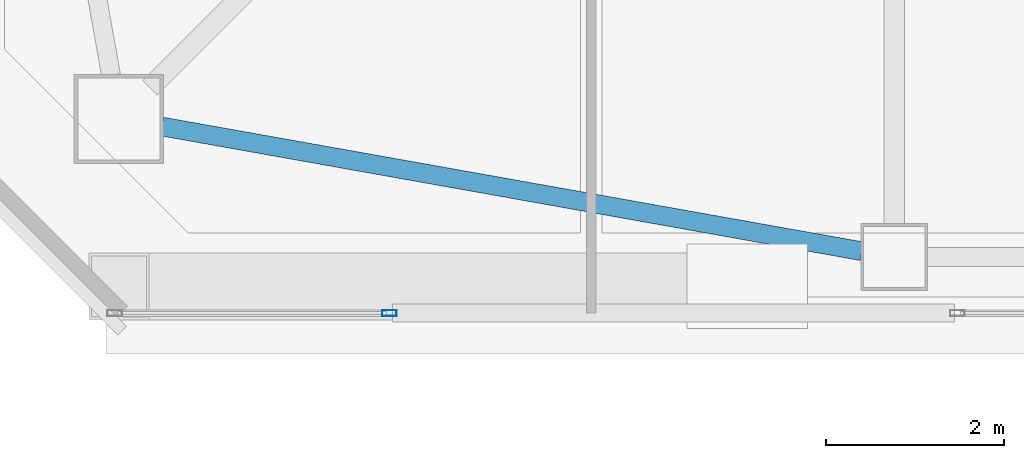
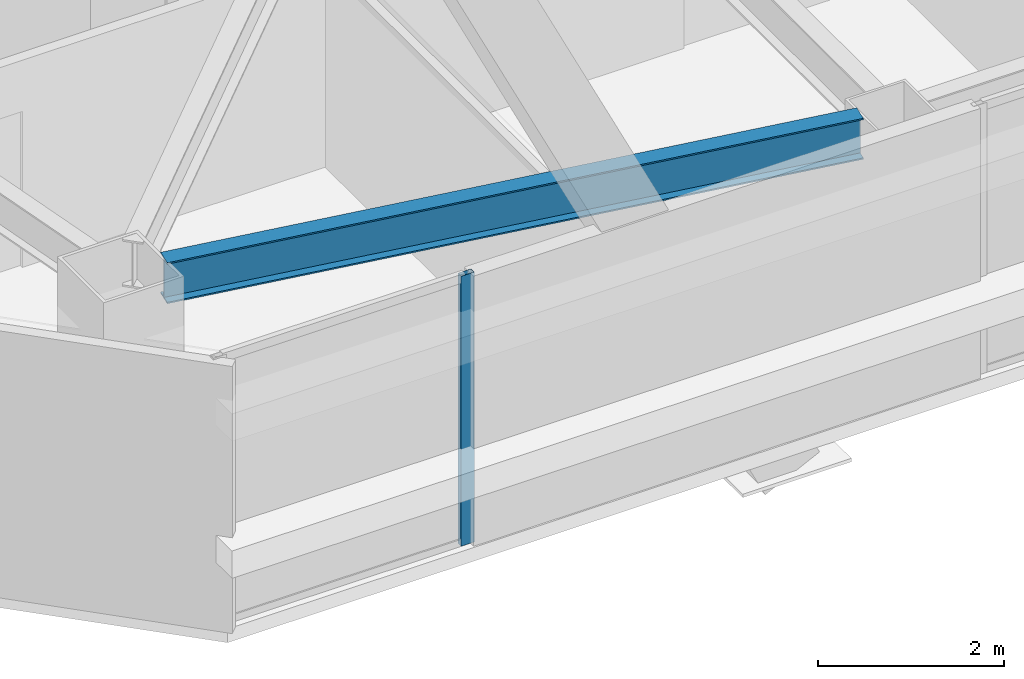
# One storey, part 5 of 56: 1 beam, 1 member, 1 element without a shape of its own.
"""IFC4 building model written with IfcOpenShell, lengths in metres."""

from ifc_helpers import new_model, si_unit, direction, frame, origin, origin_2d, place, context, subcontext, project, spatial, hollow_rectangle, i_section, extrude, material, material_profile, profile_set, type_object, element, aggregate, save


model = new_model("IFC4")

# Units and contexts
model_context = context("Model", 3, precision=1e-05, world=origin(), true_north=direction((0.0, 1.0)))
body_context = subcontext(model_context, "Body", "Model", "MODEL_VIEW")
ifc_project = project(units=[si_unit("LENGTHUNIT", "METRE"), si_unit("AREAUNIT", "SQUARE_METRE"), si_unit("VOLUMEUNIT", "CUBIC_METRE"), si_unit("PLANEANGLEUNIT", "RADIAN"), si_unit("MASSUNIT", "GRAM", prefix="KILO")], contexts=[model_context])

# Site, building, storey
site_placement = place(None, origin())
site = spatial("IfcSite", under=ifc_project, at=site_placement, CompositionType="ELEMENT")
building_placement = place(site_placement, origin())
building = spatial("IfcBuilding", under=site, at=building_placement, Name="Tashvorn Skyway Center", CompositionType="ELEMENT")
storey_placement = place(building_placement, frame((0.0, 0.0, 218.39990234375)))
storey = spatial("IfcBuildingStorey", under=building, at=storey_placement, Name="L59", CompositionType="ELEMENT", Elevation=218.39990234375)

# Beam
ifc_material_1 = material(Name="Steel ASTM A992 Grade 50", Category="steel")
ifc_material_profile_1 = material_profile(ifc_material_1, i_section(OverallWidth=0.2109375, OverallDepth=0.5390625, WebThickness=0.01171875, FlangeThickness=0.018798828125, at=origin_2d()), Name="W21X73")
ifc_profile_set_1 = profile_set([ifc_material_profile_1], Name="Steel ASTM A992 Grade 50")
beam_type = type_object("IfcBeamType", Name="BM-SPANDREL-W21X73", PredefinedType="SPANDREL", material=ifc_profile_set_1)
beam_placement = place(storey_placement, frame((28.38720703125, 17.813232421875, 3.1005859375), z_axis=(0.984494883191, -0.17541329759, 0.0), x_axis=(0.17541329759, 0.984494883191, 0.0)))
element("IfcBeam", 1, at=beam_placement, inside=storey, type_object=beam_type, Name="Tower 1 L59 Spandrel Beam 01", PredefinedType="SPANDREL", context=body_context, shape_type="SweptSolid", body=[
    extrude(i_section(OverallWidth=0.2109375, OverallDepth=0.5390625, WebThickness=0.01171875, FlangeThickness=0.018798828125, at=origin_2d()), origin(), (0.0, 0.0, 1.0), 7.97216796875),
])

# Curtain wall, member
ifc_material_2 = material(Name="Thermally broken bronze-anodized aluminium 6063-T6", Category="aluminium")
curtain_wall_type = type_object("IfcCurtainWallType", Name="CW-CW-Z5", PredefinedType="NOTDEFINED", material=ifc_material_2)
curtain_wall_placement = place(storey_placement, origin())
curtain_wall = element("IfcCurtainWall", 2, at=curtain_wall_placement, inside=storey, type_object=curtain_wall_type, Name="Tower 1 L59 South Unitised Curtain Wall Glazing Group 3", PredefinedType="NOTDEFINED")
ifc_material_profile_2 = material_profile(ifc_material_2, hollow_rectangle(XDim=0.070068359375, YDim=0.1650390625, WallThickness=0.00390625, at=origin_2d()), Name="ALU-MULL-70x165")
ifc_profile_set_2 = profile_set([ifc_material_profile_2], Name="Thermally broken bronze-anodized aluminium 6063-T6")
member_type = type_object("IfcMemberType", Name="CWM-CW-Z5", PredefinedType="MULLION", material=ifc_profile_set_2)
member_placement = place(storey_placement, frame((30.93603515625, 15.719970703125, 0.0), z_axis=(0.0, 0.0, 1.0), x_axis=(0.0, -1.0, 0.0)))
member = element("IfcMember", 3, at=member_placement, type_object=member_type, Name="CW-Z5 mullion 1", PredefinedType="MULLION", context=body_context, shape_type="SweptSolid", body=[
    extrude(hollow_rectangle(XDim=0.070068359375, YDim=0.1650390625, WallThickness=0.00390625, at=origin_2d()), origin(), (0.0, 0.0, 1.0), 3.550048828125),
])
aggregate(curtain_wall, [member])

save(model, "model.ifc")
